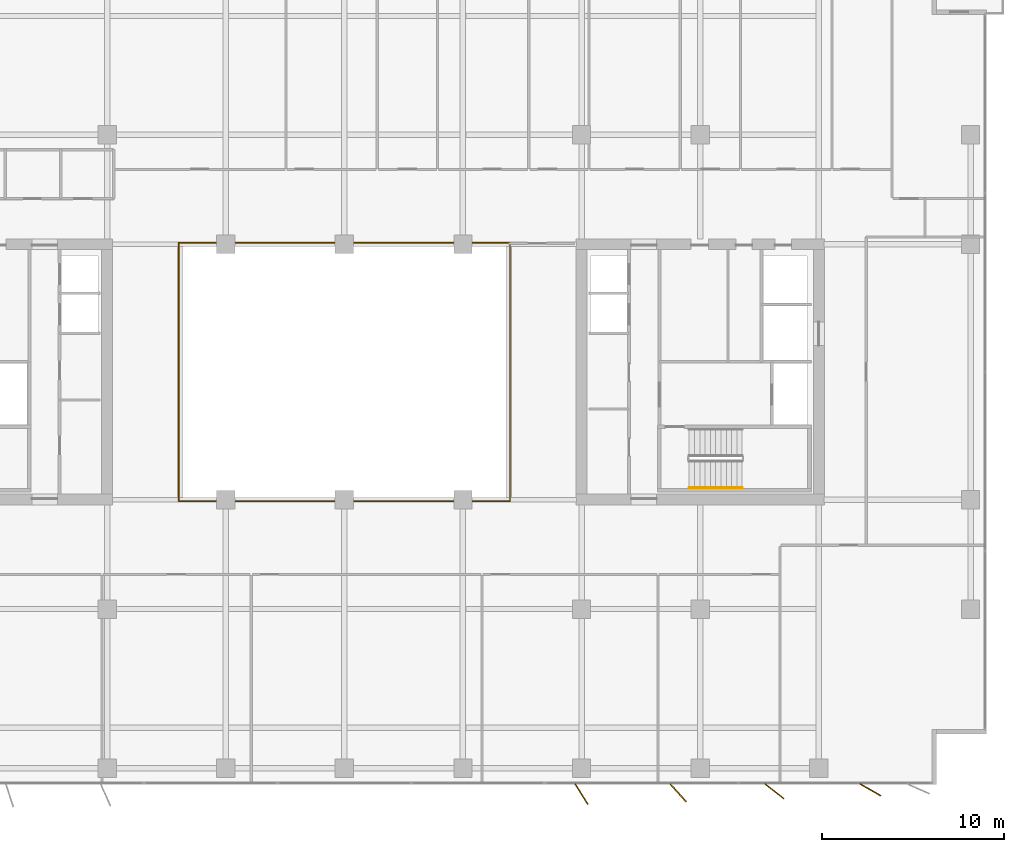
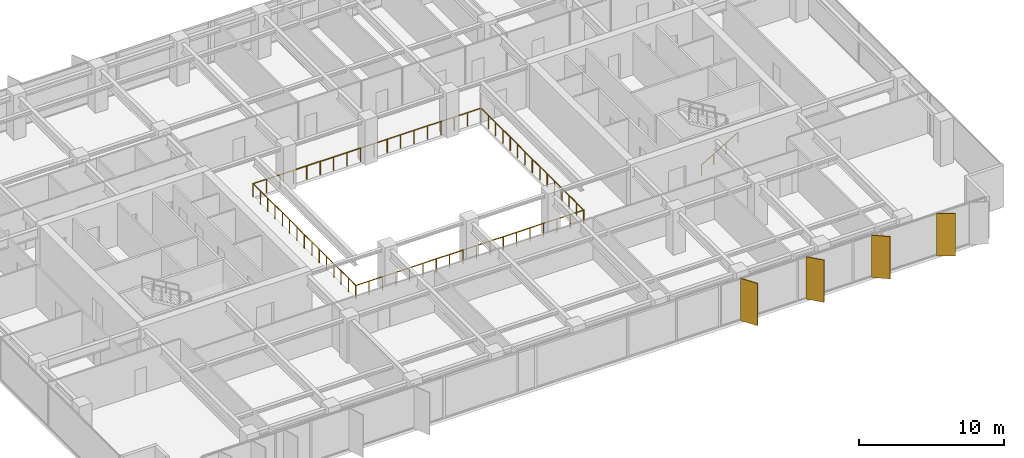
# One storey, part 20 of 22: 4 shading devices, 3 railings.
"""IFC4 building model written with IfcOpenShell, lengths in metres."""

from ifc_helpers import new_model, si_unit, direction, frame, origin, origin_2d, place, context, subcontext, project, spatial, rectangle, circle, extrude, material, layer, layer_set, type_object, element, save


model = new_model("IFC4")

# Units and contexts
model_context = context("Model", 3, precision=1e-05, world=origin(), true_north=direction((0.0, 1.0)))
body_context = subcontext(model_context, "Body", "Model", "MODEL_VIEW")
ifc_project = project(units=[si_unit("LENGTHUNIT", "METRE"), si_unit("AREAUNIT", "SQUARE_METRE"), si_unit("VOLUMEUNIT", "CUBIC_METRE"), si_unit("PLANEANGLEUNIT", "RADIAN"), si_unit("MASSUNIT", "GRAM", prefix="KILO")], contexts=[model_context])

# Site, building, storey
site_placement = place(None, origin())
site = spatial("IfcSite", under=ifc_project, at=site_placement, CompositionType="ELEMENT")
building_placement = place(site_placement, origin())
building = spatial("IfcBuilding", under=site, at=building_placement, Name="Putna Gate Headquarters", CompositionType="ELEMENT")
storey_placement = place(building_placement, frame((0.0, 0.0, 193.60009765625)))
storey = spatial("IfcBuildingStorey", under=building, at=storey_placement, Name="L48", CompositionType="ELEMENT", Elevation=193.60009765625)

# Railings
ifc_material_1 = material(Name="Anodised bronze and laminated glass atrium balustrade", Category="glass")
railing_type_1 = type_object("IfcRailingType", Name="RAIL-ATRIUM-GUARD-1150", PredefinedType="GUARDRAIL", material=ifc_material_1)
railing_1_placement = place(storey_placement, frame((29.919921875, 25.969970703125, 0.0)))
element("IfcRailing", 1, at=railing_1_placement, inside=storey, type_object=railing_type_1, Name="L48 Central Atrium Glazed Balustrade South", PredefinedType="GUARDRAIL", context=body_context, shape_type="SweptSolid", body=[
    extrude(circle(Radius=0.02392578125, at=origin_2d()), frame((0.0, 0.0, 1.1259765625), z_axis=(0.0, -1.0, 0.0), x_axis=(1.0, 0.0, 0.0)), (0.0, 0.0, 1.0), 7.050048828125),
    extrude(circle(Radius=0.02392578125, at=origin_2d()), frame((0.0, -7.050048828125, 1.1259765625), z_axis=(1.0, 0.0, 0.0), x_axis=(0.0, 1.0, 0.0)), (0.0, 0.0, 1.0), 18.16015625),
    extrude(circle(Radius=0.02392578125, at=origin_2d()), frame((18.16015625, -7.050048828125, 1.1259765625), z_axis=(0.0, 1.0, 0.0), x_axis=(-1.0, 0.0, 0.0)), (0.0, 0.0, 1.0), 7.050048828125),
    extrude(circle(Radius=0.02099609375, at=origin_2d()), origin(), (0.0, 0.0, 1.0), 1.101806640625),
    extrude(circle(Radius=0.02099609375, at=origin_2d()), frame((0.0, -1.007080078125, 0.0)), (0.0, 0.0, 1.0), 1.101806640625),
    extrude(circle(Radius=0.02099609375, at=origin_2d()), frame((0.0, -2.014404296875, 0.0)), (0.0, 0.0, 1.0), 1.101806640625),
    extrude(circle(Radius=0.02099609375, at=origin_2d()), frame((0.0, -3.021484375, 0.0)), (0.0, 0.0, 1.0), 1.101806640625),
    extrude(circle(Radius=0.02099609375, at=origin_2d()), frame((0.0, -4.028564453125, 0.0)), (0.0, 0.0, 1.0), 1.101806640625),
    extrude(circle(Radius=0.02099609375, at=origin_2d()), frame((0.0, -5.03564453125, 0.0)), (0.0, 0.0, 1.0), 1.101806640625),
    extrude(circle(Radius=0.02099609375, at=origin_2d()), frame((0.0, -6.04296875, 0.0)), (0.0, 0.0, 1.0), 1.101806640625),
    extrude(circle(Radius=0.02099609375, at=origin_2d()), frame((0.0, -7.050048828125, 0.0)), (0.0, 0.0, 1.0), 1.101806640625),
    extrude(circle(Radius=0.02099609375, at=origin_2d()), frame((1.068359375, -7.050048828125, 0.0)), (0.0, 0.0, 1.0), 1.101806640625),
    extrude(circle(Radius=0.02099609375, at=origin_2d()), frame((2.136474609375, -7.050048828125, 0.0)), (0.0, 0.0, 1.0), 1.101806640625),
    extrude(circle(Radius=0.02099609375, at=origin_2d()), frame((3.204833984375, -7.050048828125, 0.0)), (0.0, 0.0, 1.0), 1.101806640625),
    extrude(circle(Radius=0.02099609375, at=origin_2d()), frame((4.27294921875, -7.050048828125, 0.0)), (0.0, 0.0, 1.0), 1.101806640625),
    extrude(circle(Radius=0.02099609375, at=origin_2d()), frame((5.34130859375, -7.050048828125, 0.0)), (0.0, 0.0, 1.0), 1.101806640625),
    extrude(circle(Radius=0.02099609375, at=origin_2d()), frame((6.409423828125, -7.050048828125, 0.0)), (0.0, 0.0, 1.0), 1.101806640625),
    extrude(circle(Radius=0.02099609375, at=origin_2d()), frame((7.477783203125, -7.050048828125, 0.0)), (0.0, 0.0, 1.0), 1.101806640625),
    extrude(circle(Radius=0.02099609375, at=origin_2d()), frame((8.5458984375, -7.050048828125, 0.0)), (0.0, 0.0, 1.0), 1.101806640625),
    extrude(circle(Radius=0.02099609375, at=origin_2d()), frame((9.6142578125, -7.050048828125, 0.0)), (0.0, 0.0, 1.0), 1.101806640625),
    extrude(circle(Radius=0.02099609375, at=origin_2d()), frame((10.682373046875, -7.050048828125, 0.0)), (0.0, 0.0, 1.0), 1.101806640625),
    extrude(circle(Radius=0.02099609375, at=origin_2d()), frame((11.750732421875, -7.050048828125, 0.0)), (0.0, 0.0, 1.0), 1.101806640625),
    extrude(circle(Radius=0.02099609375, at=origin_2d()), frame((12.81884765625, -7.050048828125, 0.0)), (0.0, 0.0, 1.0), 1.101806640625),
    extrude(circle(Radius=0.02099609375, at=origin_2d()), frame((13.88720703125, -7.050048828125, 0.0)), (0.0, 0.0, 1.0), 1.101806640625),
    extrude(circle(Radius=0.02099609375, at=origin_2d()), frame((14.955322265625, -7.050048828125, 0.0)), (0.0, 0.0, 1.0), 1.101806640625),
    extrude(circle(Radius=0.02099609375, at=origin_2d()), frame((16.023681640625, -7.050048828125, 0.0)), (0.0, 0.0, 1.0), 1.101806640625),
    extrude(circle(Radius=0.02099609375, at=origin_2d()), frame((17.091796875, -7.050048828125, 0.0)), (0.0, 0.0, 1.0), 1.101806640625),
    extrude(circle(Radius=0.02099609375, at=origin_2d()), frame((18.16015625, -7.050048828125, 0.0)), (0.0, 0.0, 1.0), 1.101806640625),
    extrude(circle(Radius=0.02099609375, at=origin_2d()), frame((18.16015625, -6.04296875, 0.0)), (0.0, 0.0, 1.0), 1.101806640625),
    extrude(circle(Radius=0.02099609375, at=origin_2d()), frame((18.16015625, -5.03564453125, 0.0)), (0.0, 0.0, 1.0), 1.101806640625),
    extrude(circle(Radius=0.02099609375, at=origin_2d()), frame((18.16015625, -4.028564453125, 0.0)), (0.0, 0.0, 1.0), 1.101806640625),
    extrude(circle(Radius=0.02099609375, at=origin_2d()), frame((18.16015625, -3.021484375, 0.0)), (0.0, 0.0, 1.0), 1.101806640625),
    extrude(circle(Radius=0.02099609375, at=origin_2d()), frame((18.16015625, -2.014404296875, 0.0)), (0.0, 0.0, 1.0), 1.101806640625),
    extrude(circle(Radius=0.02099609375, at=origin_2d()), frame((18.16015625, -1.007080078125, 0.0)), (0.0, 0.0, 1.0), 1.101806640625),
    extrude(circle(Radius=0.02099609375, at=origin_2d()), frame((18.16015625, 0.0, 0.0)), (0.0, 0.0, 1.0), 1.101806640625),
])
railing_2_placement = place(storey_placement, frame((48.080078125, 26.030029296875, 0.0)))
element("IfcRailing", 2, at=railing_2_placement, inside=storey, type_object=railing_type_1, Name="L48 Central Atrium Glazed Balustrade North", PredefinedType="GUARDRAIL", context=body_context, shape_type="SweptSolid", body=[
    extrude(circle(Radius=0.02392578125, at=origin_2d()), frame((0.0, 0.0, 1.1259765625), z_axis=(0.0, 1.0, 0.0), x_axis=(-1.0, 0.0, 0.0)), (0.0, 0.0, 1.0), 7.050048828125),
    extrude(circle(Radius=0.02392578125, at=origin_2d()), frame((0.0, 7.050048828125, 1.1259765625), z_axis=(-1.0, 0.0, 0.0), x_axis=(0.0, -1.0, 0.0)), (0.0, 0.0, 1.0), 18.16015625),
    extrude(circle(Radius=0.02392578125, at=origin_2d()), frame((-18.16015625, 7.050048828125, 1.1259765625), z_axis=(0.0, -1.0, 0.0), x_axis=(1.0, 0.0, 0.0)), (0.0, 0.0, 1.0), 7.050048828125),
    extrude(circle(Radius=0.02099609375, at=origin_2d()), origin(), (0.0, 0.0, 1.0), 1.101806640625),
    extrude(circle(Radius=0.02099609375, at=origin_2d()), frame((0.0, 1.007080078125, 0.0)), (0.0, 0.0, 1.0), 1.101806640625),
    extrude(circle(Radius=0.02099609375, at=origin_2d()), frame((0.0, 2.014404296875, 0.0)), (0.0, 0.0, 1.0), 1.101806640625),
    extrude(circle(Radius=0.02099609375, at=origin_2d()), frame((0.0, 3.021484375, 0.0)), (0.0, 0.0, 1.0), 1.101806640625),
    extrude(circle(Radius=0.02099609375, at=origin_2d()), frame((0.0, 4.028564453125, 0.0)), (0.0, 0.0, 1.0), 1.101806640625),
    extrude(circle(Radius=0.02099609375, at=origin_2d()), frame((0.0, 5.03564453125, 0.0)), (0.0, 0.0, 1.0), 1.101806640625),
    extrude(circle(Radius=0.02099609375, at=origin_2d()), frame((0.0, 6.04296875, 0.0)), (0.0, 0.0, 1.0), 1.101806640625),
    extrude(circle(Radius=0.02099609375, at=origin_2d()), frame((0.0, 7.050048828125, 0.0)), (0.0, 0.0, 1.0), 1.101806640625),
    extrude(circle(Radius=0.02099609375, at=origin_2d()), frame((-1.068359375, 7.050048828125, 0.0)), (0.0, 0.0, 1.0), 1.101806640625),
    extrude(circle(Radius=0.02099609375, at=origin_2d()), frame((-2.136474609375, 7.050048828125, 0.0)), (0.0, 0.0, 1.0), 1.101806640625),
    extrude(circle(Radius=0.02099609375, at=origin_2d()), frame((-3.204833984375, 7.050048828125, 0.0)), (0.0, 0.0, 1.0), 1.101806640625),
    extrude(circle(Radius=0.02099609375, at=origin_2d()), frame((-4.27294921875, 7.050048828125, 0.0)), (0.0, 0.0, 1.0), 1.101806640625),
    extrude(circle(Radius=0.02099609375, at=origin_2d()), frame((-5.34130859375, 7.050048828125, 0.0)), (0.0, 0.0, 1.0), 1.101806640625),
    extrude(circle(Radius=0.02099609375, at=origin_2d()), frame((-6.409423828125, 7.050048828125, 0.0)), (0.0, 0.0, 1.0), 1.101806640625),
    extrude(circle(Radius=0.02099609375, at=origin_2d()), frame((-7.477783203125, 7.050048828125, 0.0)), (0.0, 0.0, 1.0), 1.101806640625),
    extrude(circle(Radius=0.02099609375, at=origin_2d()), frame((-8.5458984375, 7.050048828125, 0.0)), (0.0, 0.0, 1.0), 1.101806640625),
    extrude(circle(Radius=0.02099609375, at=origin_2d()), frame((-9.6142578125, 7.050048828125, 0.0)), (0.0, 0.0, 1.0), 1.101806640625),
    extrude(circle(Radius=0.02099609375, at=origin_2d()), frame((-10.682373046875, 7.050048828125, 0.0)), (0.0, 0.0, 1.0), 1.101806640625),
    extrude(circle(Radius=0.02099609375, at=origin_2d()), frame((-11.750732421875, 7.050048828125, 0.0)), (0.0, 0.0, 1.0), 1.101806640625),
    extrude(circle(Radius=0.02099609375, at=origin_2d()), frame((-12.81884765625, 7.050048828125, 0.0)), (0.0, 0.0, 1.0), 1.101806640625),
    extrude(circle(Radius=0.02099609375, at=origin_2d()), frame((-13.88720703125, 7.050048828125, 0.0)), (0.0, 0.0, 1.0), 1.101806640625),
    extrude(circle(Radius=0.02099609375, at=origin_2d()), frame((-14.955322265625, 7.050048828125, 0.0)), (0.0, 0.0, 1.0), 1.101806640625),
    extrude(circle(Radius=0.02099609375, at=origin_2d()), frame((-16.023681640625, 7.050048828125, 0.0)), (0.0, 0.0, 1.0), 1.101806640625),
    extrude(circle(Radius=0.02099609375, at=origin_2d()), frame((-17.091796875, 7.050048828125, 0.0)), (0.0, 0.0, 1.0), 1.101806640625),
    extrude(circle(Radius=0.02099609375, at=origin_2d()), frame((-18.16015625, 7.050048828125, 0.0)), (0.0, 0.0, 1.0), 1.101806640625),
    extrude(circle(Radius=0.02099609375, at=origin_2d()), frame((-18.16015625, 6.04296875, 0.0)), (0.0, 0.0, 1.0), 1.101806640625),
    extrude(circle(Radius=0.02099609375, at=origin_2d()), frame((-18.16015625, 5.03564453125, 0.0)), (0.0, 0.0, 1.0), 1.101806640625),
    extrude(circle(Radius=0.02099609375, at=origin_2d()), frame((-18.16015625, 4.028564453125, 0.0)), (0.0, 0.0, 1.0), 1.101806640625),
    extrude(circle(Radius=0.02099609375, at=origin_2d()), frame((-18.16015625, 3.021484375, 0.0)), (0.0, 0.0, 1.0), 1.101806640625),
    extrude(circle(Radius=0.02099609375, at=origin_2d()), frame((-18.16015625, 2.014404296875, 0.0)), (0.0, 0.0, 1.0), 1.101806640625),
    extrude(circle(Radius=0.02099609375, at=origin_2d()), frame((-18.16015625, 1.007080078125, 0.0)), (0.0, 0.0, 1.0), 1.101806640625),
    extrude(circle(Radius=0.02099609375, at=origin_2d()), frame((-18.16015625, 0.0, 0.0)), (0.0, 0.0, 1.0), 1.101806640625),
])
ifc_material_2 = material(Name="Brushed stainless steel handrail", Category="steel")
railing_type_2 = type_object("IfcRailingType", Name="RAIL-STAIR-HAND-900", PredefinedType="HANDRAIL", material=ifc_material_2)
railing_3_placement = place(storey_placement, frame((57.89990234375, 19.64990234375, 0.172607421875)))
element("IfcRailing", 3, at=railing_3_placement, inside=storey, type_object=railing_type_2, Name="L48 ST2 stair handrail 1", PredefinedType="HANDRAIL", context=body_context, shape_type="SweptSolid", body=[
    extrude(circle(Radius=0.02392578125, at=origin_2d()), frame((0.0, 0.0, 0.8759765625), z_axis=(0.859160404282, 0.0, 0.51170636083), x_axis=(0.0, 1.0, 0.0)), (0.0, 0.0, 1.0), 3.37548828125),
    extrude(circle(Radius=0.02099609375, at=origin_2d()), origin(), (0.0, 0.0, 1.0), 0.851806640625),
    extrude(circle(Radius=0.02099609375, at=origin_2d()), frame((0.966796875, 0.0, 0.57568359375)), (0.0, 0.0, 1.0), 0.851806640625),
    extrude(circle(Radius=0.02099609375, at=origin_2d()), frame((1.933349609375, 0.0, 1.151611328125)), (0.0, 0.0, 1.0), 0.851806640625),
    extrude(circle(Radius=0.02099609375, at=origin_2d()), frame((2.900146484375, 0.0, 1.727294921875)), (0.0, 0.0, 1.0), 0.851806640625),
])

# Shading devices
ifc_material_3 = material(Name="Anodised architectural bronze aluminium fin", Category="aluminium")
ifc_layer = layer(ifc_material_3, 0.06494140625)
ifc_layer_set = layer_set([ifc_layer], Name="Anodised architectural bronze aluminium fin")
shading_device_type = type_object("IfcShadingDeviceType", Name="SHADE-BRONZE-FIN-1320", PredefinedType="USERDEFINED", material=ifc_layer_set)
for number, where, z_axis, x_axis, name in (
    (4, (52.000244140625, 2.865478515625, -0.02001953125), (0.0, 0.0, 1.0), (0.530659123936, -0.847585331506, 0.0), "L48 Bronze Vertical Shading Fin S7"),
    (5, (57.29150390625, 2.9345703125, -0.02001953125), (0.0, 0.0, 1.0), (0.669130606359, -0.743144825477, 0.0), "L48 Bronze Vertical Shading Fin S8"),
    (6, (62.569580078125, 3.018310546875, -0.02001953125), (0.0, 0.0, 1.0), (0.787473187632, -0.616348909921, 0.0), "L48 Bronze Vertical Shading Fin S9"),
    (7, (67.82373046875, 3.098876953125, -0.02001953125), (0.0, 0.0, 1.0), (0.869322458298, -0.494245347472, 0.0), "L48 Bronze Vertical Shading Fin S10"),
):
    element("IfcShadingDevice", number, at=place(storey_placement, frame(where, z_axis=z_axis, x_axis=x_axis)), inside=storey, type_object=shading_device_type, Name=name, ObjectType="FIN", PredefinedType="USERDEFINED", context=body_context, shape_type="SweptSolid", body=[
        extrude(rectangle(XDim=1.320068359375, YDim=0.06494140625, at=origin_2d()), origin(), (0.0, 0.0, 1.0), 3.56005859375),
    ])

save(model, "model.ifc")
